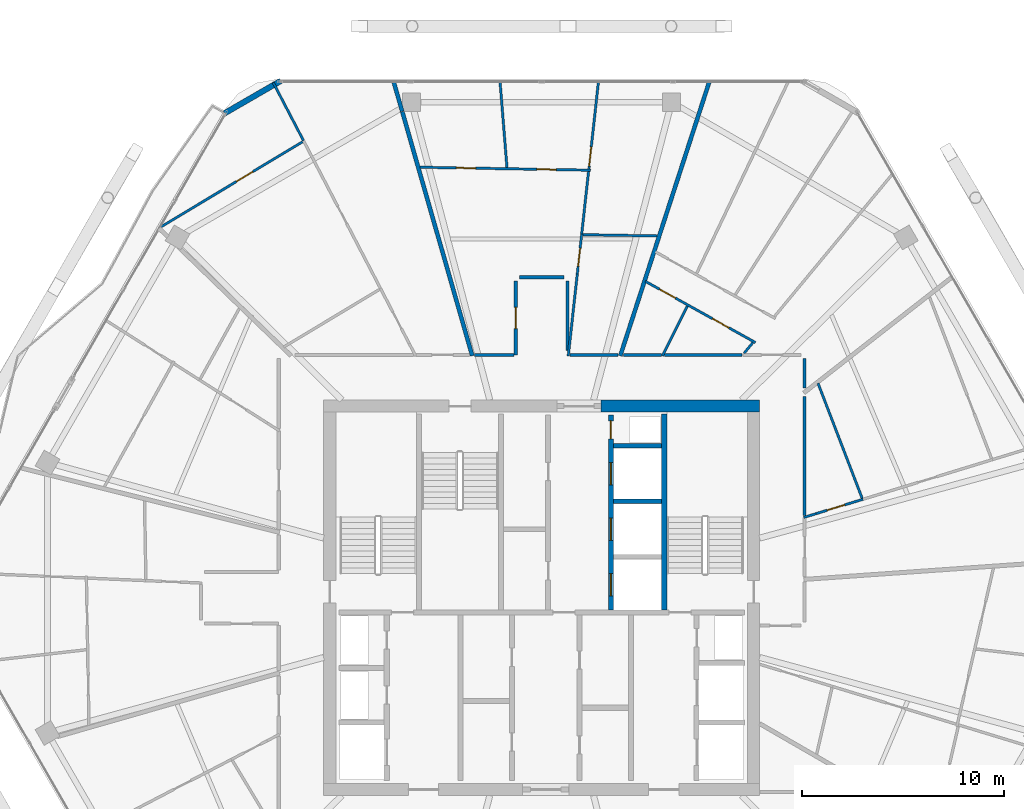
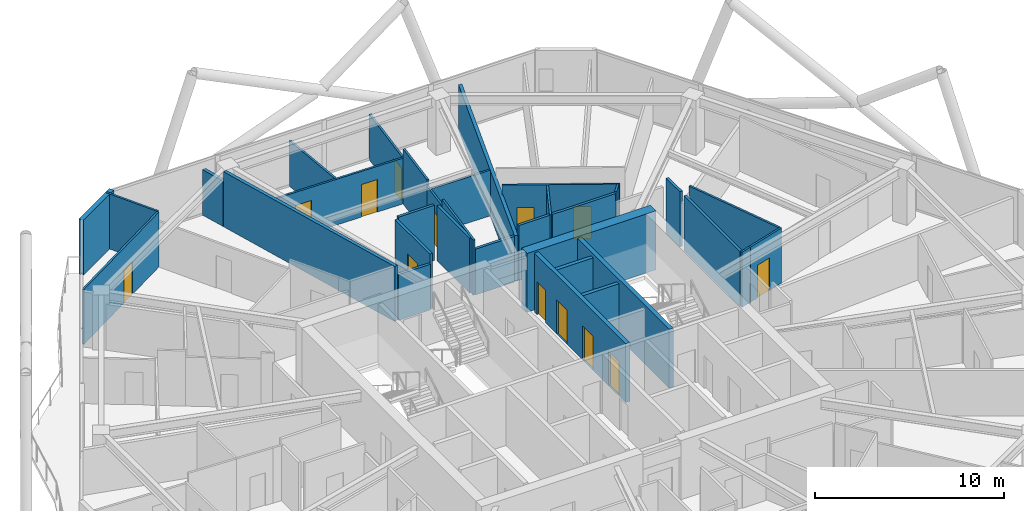
# One storey, part 24 of 29: 33 walls, 13 doors, 13 openings.
"""IFC4 building model written with IfcOpenShell, lengths in metres."""

from ifc_helpers import new_model, si_unit, direction, frame, frame_2d, origin, place, context, subcontext, project, spatial, rectangle, extrude, material, layer, layer_set, type_object, element, fill, save


model = new_model("IFC4")

# Units and contexts
model_context = context("Model", 3, precision=1e-05, world=origin(), true_north=direction((0.0, 1.0)))
body_context = subcontext(model_context, "Body", "Model", "MODEL_VIEW")
ifc_project = project(units=[si_unit("LENGTHUNIT", "METRE"), si_unit("AREAUNIT", "SQUARE_METRE"), si_unit("VOLUMEUNIT", "CUBIC_METRE"), si_unit("PLANEANGLEUNIT", "RADIAN"), si_unit("MASSUNIT", "GRAM", prefix="KILO")], contexts=[model_context])

# Site, building, storey
site_placement = place(None, origin())
site = spatial("IfcSite", under=ifc_project, at=site_placement, CompositionType="ELEMENT")
building_placement = place(site_placement, origin())
building = spatial("IfcBuilding", under=site, at=building_placement, Name="Zuhravey Tower", CompositionType="ELEMENT")
storey_placement = place(building_placement, frame((0.0, 0.0, 246.39990234375)))
storey = spatial("IfcBuildingStorey", under=building, at=storey_placement, Name="L62", CompositionType="ELEMENT", Elevation=246.39990234375)

# Wall
ifc_material_1 = material(Name="Concrete C50/60", Category="concrete")
ifc_layer_1 = layer(ifc_material_1, 0.60009765625)
ifc_layer_set_1 = layer_set([ifc_layer_1], Name="Concrete C50/60")
wall_type_1 = type_object("IfcWallType", Name="Core Shear Wall 600", PredefinedType="SHEAR", material=ifc_layer_set_1)
wall_1_placement = place(storey_placement, frame((46.800048828125, 41.5, 0.0), z_axis=(0.0, 0.0, 1.0), x_axis=(-1.0, 0.0, 0.0)))
element("IfcWall", 1, at=wall_1_placement, inside=storey, type_object=wall_type_1, Name="L62 North-East Core Shear Wall CW60", PredefinedType="SHEAR", context=body_context, shape_type="SweptSolid", body=[
    extrude(rectangle(XDim=7.85009765625, YDim=0.60009765625, at=frame_2d((3.925048828125, 0.0))), origin(), (0.0, 0.0, 1.0), 3.800048828125),
])

# Wall, opening, door
ifc_material_2 = material(Name="Gypsum fire-rated stud partition")
ifc_layer_2 = layer(ifc_material_2, 0.159912109375)
ifc_layer_set_2 = layer_set([ifc_layer_2], Name="Gypsum fire-rated stud partition")
wall_type_2 = type_object("IfcWallType", Name="Corridor Fire Partition 160", PredefinedType="PARTITIONING", material=ifc_layer_set_2)
wall_2_placement = place(storey_placement, frame((34.719970703125, 47.699951171875, 0.0), z_axis=(0.0, 0.0, 1.0), x_axis=(0.0, -1.0, 0.0)))
wall_2 = element("IfcWall", 2, at=wall_2_placement, inside=storey, type_object=wall_type_2, Name="L62 IW16 Partition 068", PredefinedType="PARTITIONING", context=body_context, shape_type="SweptSolid", body=[
    extrude(rectangle(XDim=3.669921875, YDim=0.159912109375, at=frame_2d((1.8349609375, 0.0))), origin(), (0.0, 0.0, 1.0), 3.550048828125),
])
opening_1_placement = place(wall_2_placement, frame((1.31005859375, 0.0, 0.0)))
opening_1 = element("IfcOpeningElement", 3, at=opening_1_placement, cuts=wall_2, Name="Opening APD1", PredefinedType="OPENING", context=body_context, shape_type="SweptSolid", body=[
    extrude(rectangle(XDim=1.050048828125, YDim=2.14990234375, at=frame_2d((0.52490234375, 1.074951171875))), frame((0.0, 0.092041015625, 0.0), z_axis=(0.0, -1.0, 0.0), x_axis=(1.0, 0.0, 0.0)), (0.0, 0.0, 1.0), 0.183837890625),
])
ifc_material_3 = material(Name="Solid-core oak fire-rated leaf")
door_type_1 = type_object("IfcDoorType", Name="Apartment Entrance Fire Door 1050x2150", OperationType="NOTDEFINED", PredefinedType="DOOR", material=ifc_material_3)
door_1_placement = place(opening_1_placement, frame((1.050048828125, 0.0, 0.0), z_axis=(0.0, 0.0, 1.0), x_axis=(-1.0, 0.0, 0.0)))
door_1 = element("IfcDoor", 4, at=door_1_placement, inside=storey, type_object=door_type_1, Name="L62 Door 068.1", OperationType="SINGLE_SWING_LEFT", OverallHeight=2.14990234375, OverallWidth=1.050048828125, PredefinedType="DOOR", context=body_context, shape_type="SweptSolid", body=[
    extrude(rectangle(XDim=1.050048828125, YDim=2.14990234375, at=frame_2d((0.52490234375, 1.074951171875))), frame((0.0, 0.02490234375, 0.0), z_axis=(0.0, -1.0, 0.0), x_axis=(1.0, 0.0, 0.0)), (0.0, 0.0, 1.0), 0.050048828125),
])
fill(opening_1, door_1)

# Walls
wall_3_placement = place(storey_placement, frame((49.030029296875, 36.064697265625, 0.0), z_axis=(0.0, 0.0, 1.0), x_axis=(0.0, 1.0, 0.0)))
element("IfcWall", 5, at=wall_3_placement, inside=storey, type_object=wall_type_2, Name="L62 IW16 Partition 139", PredefinedType="PARTITIONING", context=body_context, shape_type="SweptSolid", body=[
    extrude(rectangle(XDim=5.908447265625, YDim=0.159912109375, at=frame_2d((2.9541015625, 0.0))), origin(), (0.0, 0.0, 1.0), 3.550048828125),
])
wall_4_placement = place(storey_placement, frame((49.030029296875, 42.39013671875, 0.0), z_axis=(0.0, 0.0, 1.0), x_axis=(0.0, 1.0, 0.0)))
element("IfcWall", 6, at=wall_4_placement, inside=storey, type_object=wall_type_2, Name="L62 IW16 Partition 140", PredefinedType="PARTITIONING", context=body_context, shape_type="SweptSolid", body=[
    extrude(rectangle(XDim=1.459228515625, YDim=0.159912109375, at=frame_2d((0.7294921875, 0.0))), origin(), (0.0, 0.0, 1.0), 3.550048828125),
])
wall_5_placement = place(storey_placement, frame((45.93310546875, 44.030029296875, 0.0), z_axis=(0.0, 0.0, 1.0), x_axis=(-1.0, 0.0, 0.0)))
element("IfcWall", 7, at=wall_5_placement, inside=storey, type_object=wall_type_2, Name="L62 IW16 Partition 141", PredefinedType="PARTITIONING", context=body_context, shape_type="SweptSolid", body=[
    extrude(rectangle(XDim=3.852294921875, YDim=0.159912109375, at=frame_2d((1.92626953125, 0.0))), origin(), (0.0, 0.0, 1.0), 3.550048828125),
])
wall_6_placement = place(storey_placement, frame((41.9287109375, 44.030029296875, 0.0), z_axis=(0.0, 0.0, 1.0), x_axis=(-1.0, 0.0, 0.0)))
element("IfcWall", 8, at=wall_6_placement, inside=storey, type_object=wall_type_2, Name="L62 IW16 Partition 142", PredefinedType="PARTITIONING", context=body_context, shape_type="SweptSolid", body=[
    extrude(rectangle(XDim=1.88232421875, YDim=0.159912109375, at=frame_2d((0.941162109375, 0.0))), origin(), (0.0, 0.0, 1.0), 3.550048828125),
])
wall_7_placement = place(storey_placement, frame((37.280029296875, 44.25341796875, 0.0), z_axis=(0.0, 0.0, 1.0), x_axis=(0.0, 1.0, 0.0)))
element("IfcWall", 9, at=wall_7_placement, inside=storey, type_object=wall_type_2, Name="L62 IW16 Partition 143", PredefinedType="PARTITIONING", context=body_context, shape_type="SweptSolid", body=[
    extrude(rectangle(XDim=3.446533203125, YDim=0.159912109375, at=frame_2d((1.72314453125, 0.0))), origin(), (0.0, 0.0, 1.0), 3.550048828125),
])
wall_8_placement = place(storey_placement, frame((37.10009765625, 47.8798828125, 0.0), z_axis=(0.0, 0.0, 1.0), x_axis=(-1.0, 0.0, 0.0)))
element("IfcWall", 10, at=wall_8_placement, inside=storey, type_object=wall_type_2, Name="L62 IW16 Partition 144", PredefinedType="PARTITIONING", context=body_context, shape_type="SweptSolid", body=[
    extrude(rectangle(XDim=2.2001953125, YDim=0.159912109375, at=frame_2d((1.10009765625, 0.0))), origin(), (0.0, 0.0, 1.0), 3.550048828125),
])
wall_9_placement = place(storey_placement, frame((34.632080078125, 44.030029296875, 0.0), z_axis=(0.0, 0.0, 1.0), x_axis=(-1.0, 0.0, 0.0)))
element("IfcWall", 11, at=wall_9_placement, inside=storey, type_object=wall_type_2, Name="L62 IW16 Partition 145", PredefinedType="PARTITIONING", context=body_context, shape_type="SweptSolid", body=[
    extrude(rectangle(XDim=1.947509765625, YDim=0.159912109375, at=frame_2d((0.9736328125, 0.0))), origin(), (0.0, 0.0, 1.0), 2.9501953125),
])
wall_10_placement = place(storey_placement, frame((39.772216796875, 44.030029296875, 0.0), z_axis=(0.0, 0.0, 1.0), x_axis=(-1.0, 0.0, 0.0)))
element("IfcWall", 12, at=wall_10_placement, inside=storey, type_object=wall_type_2, Name="L62 IW16 Partition 146", PredefinedType="PARTITIONING", context=body_context, shape_type="SweptSolid", body=[
    extrude(rectangle(XDim=2.380126953125, YDim=0.159912109375, at=frame_2d((1.18994140625, 0.0))), origin(), (0.0, 0.0, 1.0), 2.9501953125),
])
ifc_material_4 = material(Name="Precast concrete C40/50", Category="concrete")
ifc_layer_3 = layer(ifc_material_4, 0.280029296875)
ifc_layer_set_3 = layer_set([ifc_layer_3], Name="Precast concrete C40/50")
wall_type_3 = type_object("IfcWallType", Name="Crown Architectural Wall 280", PredefinedType="SOLIDWALL", material=ifc_layer_set_3)
wall_11_placement = place(storey_placement, frame((20.285400390625, 56.003662109375, 0.0), z_axis=(0.0, 0.0, 1.0), x_axis=(0.866028773314, 0.499994163758, 0.0)))
element("IfcWall", 13, at=wall_11_placement, inside=storey, type_object=wall_type_3, Name="L62 Rounded Corner Closure Wall EW28-08", PredefinedType="SOLIDWALL", context=body_context, shape_type="SweptSolid", body=[
    extrude(rectangle(XDim=3.21484375, YDim=0.280029296875, at=frame_2d((1.607421875, 0.0))), origin(), (0.0, 0.0, 1.0), 3.550048828125),
])
ifc_layer_4 = layer(ifc_material_1, 0.25)
ifc_layer_set_4 = layer_set([ifc_layer_4], Name="Concrete C50/60")
wall_type_4 = type_object("IfcWallType", Name="Firefighting Shaft & Stair Wall 250", PredefinedType="SOLIDWALL", material=ifc_layer_set_4)
wall_12_placement = place(storey_placement, frame((42.074951171875, 31.39990234375, 0.0), z_axis=(0.0, 0.0, 1.0), x_axis=(0.0, 1.0, 0.0)))
element("IfcWall", 14, at=wall_12_placement, inside=storey, type_object=wall_type_4, Name="L62 FW25 Shaft Wall 006", PredefinedType="SOLIDWALL", context=body_context, shape_type="SweptSolid", body=[
    extrude(rectangle(XDim=9.7001953125, YDim=0.25, at=frame_2d((4.85009765625, 0.0))), origin(), (0.0, 0.0, 1.0), 3.800048828125),
])

# Wall, openings, doors
wall_13_placement = place(storey_placement, frame((39.425048828125, 31.39990234375, 0.0), z_axis=(0.0, 0.0, 1.0), x_axis=(0.0, 1.0, 0.0)))
wall_13 = element("IfcWall", 15, at=wall_13_placement, inside=storey, type_object=wall_type_4, Name="L62 FW25 Shaft Wall 008", PredefinedType="SOLIDWALL", context=body_context, shape_type="SweptSolid", body=[
    extrude(rectangle(XDim=9.650146484375, YDim=0.25, at=frame_2d((4.8251953125, 0.0))), origin(), (0.0, 0.0, 1.0), 3.800048828125),
])
opening_2_placement = place(wall_13_placement, frame((0.699951171875, 0.0, 0.0)))
opening_2 = element("IfcOpeningElement", 16, at=opening_2_placement, cuts=wall_13, Name="Opening LD1", PredefinedType="OPENING", context=body_context, shape_type="SweptSolid", body=[
    extrude(rectangle(XDim=1.10009765625, YDim=2.199951171875, at=frame_2d((0.550048828125, 1.10009765625))), frame((0.0, 0.136962890625, 0.0), z_axis=(0.0, -1.0, 0.0), x_axis=(1.0, 0.0, 0.0)), (0.0, 0.0, 1.0), 0.27392578125),
])
opening_3_placement = place(wall_13_placement, frame((3.449951171875, 0.0, 0.0)))
opening_3 = element("IfcOpeningElement", 17, at=opening_3_placement, cuts=wall_13, Name="Opening LD1", PredefinedType="OPENING", context=body_context, shape_type="SweptSolid", body=[
    extrude(rectangle(XDim=1.10009765625, YDim=2.199951171875, at=frame_2d((0.550048828125, 1.10009765625))), frame((0.0, 0.136962890625, 0.0), z_axis=(0.0, -1.0, 0.0), x_axis=(1.0, 0.0, 0.0)), (0.0, 0.0, 1.0), 0.27392578125),
])
opening_4_placement = place(wall_13_placement, frame((6.199951171875, 0.0, 0.0)))
opening_4 = element("IfcOpeningElement", 18, at=opening_4_placement, cuts=wall_13, Name="Opening LD1", PredefinedType="OPENING", context=body_context, shape_type="SweptSolid", body=[
    extrude(rectangle(XDim=1.10009765625, YDim=2.199951171875, at=frame_2d((0.550048828125, 1.10009765625))), frame((0.0, 0.136962890625, 0.0), z_axis=(0.0, -1.0, 0.0), x_axis=(1.0, 0.0, 0.0)), (0.0, 0.0, 1.0), 0.27392578125),
])
opening_5_placement = place(wall_13_placement, frame((8.469970703125, 0.0, 0.0)))
opening_5 = element("IfcOpeningElement", 19, at=opening_5_placement, cuts=wall_13, Name="Opening RSD1", PredefinedType="OPENING", context=body_context, shape_type="SweptSolid", body=[
    extrude(rectangle(XDim=0.89990234375, YDim=2.10009765625, at=frame_2d((0.449951171875, 1.050048828125))), frame((0.0, 0.136962890625, 0.0), z_axis=(0.0, -1.0, 0.0), x_axis=(1.0, 0.0, 0.0)), (0.0, 0.0, 1.0), 0.27392578125),
])
ifc_material_5 = material(Name="Brushed stainless steel", Category="steel")
door_type_2 = type_object("IfcDoorType", Name="Lift Landing Sliding Door 1100x2200", OperationType="DOUBLE_DOOR_SLIDING", PredefinedType="DOOR", material=ifc_material_5)
door_2_placement = place(opening_2_placement, origin())
door_2 = element("IfcDoor", 20, at=door_2_placement, inside=storey, type_object=door_type_2, Name="L62 Lift PL7 Landing Door", OperationType="DOUBLE_DOOR_SLIDING", OverallHeight=2.199951171875, OverallWidth=1.10009765625, PredefinedType="DOOR", context=body_context, shape_type="SweptSolid", body=[
    extrude(rectangle(XDim=1.10009765625, YDim=2.199951171875, at=frame_2d((0.550048828125, 1.10009765625))), frame((0.0, 0.02490234375, 0.0), z_axis=(0.0, -1.0, 0.0), x_axis=(1.0, 0.0, 0.0)), (0.0, 0.0, 1.0), 0.050048828125),
])
fill(opening_2, door_2)
door_3_placement = place(opening_3_placement, origin())
door_3 = element("IfcDoor", 21, at=door_3_placement, inside=storey, type_object=door_type_2, Name="L62 Lift PL8 Landing Door", OperationType="DOUBLE_DOOR_SLIDING", OverallHeight=2.199951171875, OverallWidth=1.10009765625, PredefinedType="DOOR", context=body_context, shape_type="SweptSolid", body=[
    extrude(rectangle(XDim=1.10009765625, YDim=2.199951171875, at=frame_2d((0.550048828125, 1.10009765625))), frame((0.0, 0.02490234375, 0.0), z_axis=(0.0, -1.0, 0.0), x_axis=(1.0, 0.0, 0.0)), (0.0, 0.0, 1.0), 0.050048828125),
])
fill(opening_3, door_3)
door_4_placement = place(opening_4_placement, origin())
door_4 = element("IfcDoor", 22, at=door_4_placement, inside=storey, type_object=door_type_2, Name="L62 Lift PL9 Landing Door", OperationType="DOUBLE_DOOR_SLIDING", OverallHeight=2.199951171875, OverallWidth=1.10009765625, PredefinedType="DOOR", context=body_context, shape_type="SweptSolid", body=[
    extrude(rectangle(XDim=1.10009765625, YDim=2.199951171875, at=frame_2d((0.550048828125, 1.10009765625))), frame((0.0, 0.02490234375, 0.0), z_axis=(0.0, -1.0, 0.0), x_axis=(1.0, 0.0, 0.0)), (0.0, 0.0, 1.0), 0.050048828125),
])
fill(opening_4, door_4)
ifc_material_6 = material(Name="Galvanised fire-rated steel access leaf", Category="steel")
door_type_3 = type_object("IfcDoorType", Name="Riser & Shaft Access Fire Door 900x2100", OperationType="NOTDEFINED", PredefinedType="DOOR", material=ifc_material_6)
door_5_placement = place(opening_5_placement, origin())
door_5 = element("IfcDoor", 23, at=door_5_placement, inside=storey, type_object=door_type_3, Name="L62 North Riser Door", OperationType="SINGLE_SWING_LEFT", OverallHeight=2.10009765625, OverallWidth=0.89990234375, PredefinedType="DOOR", context=body_context, shape_type="SweptSolid", body=[
    extrude(rectangle(XDim=0.89990234375, YDim=2.10009765625, at=frame_2d((0.449951171875, 1.050048828125))), frame((0.0, 0.02490234375, 0.0), z_axis=(0.0, -1.0, 0.0), x_axis=(1.0, 0.0, 0.0)), (0.0, 0.0, 1.0), 0.050048828125),
])
fill(opening_5, door_5)

# Walls
ifc_material_7 = material(Name="Gypsum double-stud party assembly")
ifc_layer_5 = layer(ifc_material_7, 0.199951171875)
ifc_layer_set_5 = layer_set([ifc_layer_5], Name="Gypsum double-stud party assembly")
wall_type_5 = type_object("IfcWallType", Name="Inter-Tenancy Party Wall 200", PredefinedType="PARTITIONING", material=ifc_layer_set_5)
wall_14_placement = place(storey_placement, frame((32.56201171875, 43.989990234375, 0.0), z_axis=(0.0, 0.0, 1.0), x_axis=(-0.275638433315, 0.96126138697, 0.0)))
element("IfcWall", 24, at=wall_14_placement, inside=storey, type_object=wall_type_5, Name="L62 IW20 Partition 073", PredefinedType="PARTITIONING", context=body_context, shape_type="SweptSolid", body=[
    extrude(rectangle(XDim=12.582763671875, YDim=0.199951171875, at=frame_2d((6.29150390625, 0.0))), origin(), (0.0, 0.0, 1.0), 3.550048828125),
])
wall_15_placement = place(storey_placement, frame((29.089111328125, 56.101318359375, 0.0), z_axis=(0.0, 0.0, 1.0), x_axis=(-0.27554766027, 0.961287411194, 0.0)))
element("IfcWall", 25, at=wall_15_placement, inside=storey, type_object=wall_type_5, Name="L62 IW20 Partition 074", PredefinedType="PARTITIONING", context=body_context, shape_type="SweptSolid", body=[
    extrude(rectangle(XDim=1.521240234375, YDim=0.199951171875, at=frame_2d((0.7607421875, 0.0))), origin(), (0.0, 0.0, 1.0), 2.93017578125),
])
wall_16_placement = place(storey_placement, frame((39.895751953125, 43.989990234375, 0.0), z_axis=(0.0, 0.0, 1.0), x_axis=(0.309018769513, 0.951055939516, 0.0)))
element("IfcWall", 26, at=wall_16_placement, inside=storey, type_object=wall_type_5, Name="L62 IW20 Partition 118", PredefinedType="PARTITIONING", context=body_context, shape_type="SweptSolid", body=[
    extrude(rectangle(XDim=14.272216796875, YDim=0.199951171875, at=frame_2d((7.13623046875, 0.0))), origin(), (0.0, 0.0, 1.0), 2.93017578125),
])
ifc_material_8 = material(Name="Gypsum acoustic stud assembly")
ifc_layer_6 = layer(ifc_material_8, 0.219970703125)
ifc_layer_set_6 = layer_set([ifc_layer_6], Name="Gypsum acoustic stud assembly")
wall_type_6 = type_object("IfcWallType", Name="School Acoustic Compartment Wall 220", PredefinedType="PARTITIONING", material=ifc_layer_set_6)
for number, where, z_axis, x_axis, name in (
    (27, (39.55810546875, 36.77490234375, 0.0), (0.0, 0.0, 1.0), (1.0, 0.0, 0.0), "L62 IW22 Partition 071"),
    (28, (39.55810546875, 39.52490234375, 0.0), (0.0, 0.0, 1.0), (1.0, 0.0, 0.0), "L62 IW22 Partition 072"),
):
    element("IfcWall", number, at=place(storey_placement, frame(where, z_axis=z_axis, x_axis=x_axis)), inside=storey, type_object=wall_type_6, Name=name, PredefinedType="PARTITIONING", context=body_context, shape_type="SweptSolid", body=[
        extrude(rectangle(XDim=2.3837890625, YDim=0.219970703125, at=frame_2d((1.19189453125, 0.0))), origin(), (0.0, 0.0, 1.0), 3.550048828125),
    ])

# Wall, opening, door
ifc_material_9 = material(Name="Gypsum metal-stud partition")
ifc_layer_7 = layer(ifc_material_9, 0.1201171875)
ifc_layer_set_7 = layer_set([ifc_layer_7], Name="Gypsum metal-stud partition")
wall_type_7 = type_object("IfcWallType", Name="Unit Internal Partition 120", PredefinedType="PARTITIONING", material=ifc_layer_set_7)
wall_17_placement = place(storey_placement, frame((24.152099609375, 54.59326171875, 0.0), z_axis=(0.0, 0.0, 1.0), x_axis=(-0.857165830908, -0.51504052105, 0.0)))
wall_17 = element("IfcWall", 29, at=wall_17_placement, inside=storey, type_object=wall_type_7, Name="L62 IW12 Partition 023", PredefinedType="PARTITIONING", context=body_context, shape_type="SweptSolid", body=[
    extrude(rectangle(XDim=8.170654296875, YDim=0.1201171875, at=frame_2d((4.08544921875, 0.0))), origin(), (0.0, 0.0, 1.0), 3.550048828125),
])
opening_6_placement = place(wall_17_placement, frame((2.8662109375, 0.0, 0.0)))
opening_6 = element("IfcOpeningElement", 30, at=opening_6_placement, cuts=wall_17, Name="Opening IND1", PredefinedType="OPENING", context=body_context, shape_type="SweptSolid", body=[
    extrude(rectangle(XDim=0.949951171875, YDim=2.10009765625, at=frame_2d((0.47509765625, 1.050048828125))), frame((0.0, 0.072021484375, 0.0), z_axis=(0.0, -1.0, 0.0), x_axis=(1.0, 0.0, 0.0)), (0.0, 0.0, 1.0), 0.14404296875),
])
ifc_material_10 = material(Name="Painted engineered timber leaf", Category="wood")
door_type_4 = type_object("IfcDoorType", Name="Internal Room & Bedroom Door 950x2100", OperationType="NOTDEFINED", PredefinedType="DOOR", material=ifc_material_10)
door_6_placement = place(opening_6_placement, frame((0.949951171875, 0.0, 0.0), z_axis=(0.0, 0.0, 1.0), x_axis=(-1.0, 0.0, 0.0)))
door_6 = element("IfcDoor", 31, at=door_6_placement, inside=storey, type_object=door_type_4, Name="Apartment L62-01 Kitchen Door", OperationType="SINGLE_SWING_LEFT", OverallHeight=2.10009765625, OverallWidth=0.949951171875, PredefinedType="DOOR", context=body_context, shape_type="SweptSolid", body=[
    extrude(rectangle(XDim=0.949951171875, YDim=2.10009765625, at=frame_2d((0.47509765625, 1.050048828125))), frame((0.0, 0.02490234375, 0.0), z_axis=(0.0, -1.0, 0.0), x_axis=(1.0, 0.0, 0.0)), (0.0, 0.0, 1.0), 0.050048828125),
])
fill(opening_6, door_6)

wall_18_placement = place(storey_placement, frame((49.60009765625, 36.168212890625, 0.0), z_axis=(0.0, 0.0, 1.0), x_axis=(0.956099580732, 0.293041962395, 0.0)))
wall_18 = element("IfcWall", 32, at=wall_18_placement, inside=storey, type_object=wall_type_7, Name="L62 IW12 Partition 057", PredefinedType="PARTITIONING", context=body_context, shape_type="SweptSolid", body=[
    extrude(rectangle(XDim=2.4326171875, YDim=0.1201171875, at=frame_2d((1.21630859375, 0.0))), origin(), (0.0, 0.0, 1.0), 3.550048828125),
])
opening_7_placement = place(wall_18_placement, frame((0.57177734375, 0.0, 0.0)))
opening_7 = element("IfcOpeningElement", 33, at=opening_7_placement, cuts=wall_18, Name="Opening WCD1", PredefinedType="OPENING", context=body_context, shape_type="SweptSolid", body=[
    extrude(rectangle(XDim=0.89990234375, YDim=2.10009765625, at=frame_2d((0.449951171875, 1.050048828125))), frame((0.0, 0.072021484375, 0.0), z_axis=(0.0, -1.0, 0.0), x_axis=(1.0, 0.0, 0.0)), (0.0, 0.0, 1.0), 0.14404296875),
])
ifc_material_11 = material(Name="Moisture-resistant timber leaf", Category="wood")
door_type_5 = type_object("IfcDoorType", Name="Bathroom & WC Internal Door 900x2100", OperationType="NOTDEFINED", PredefinedType="DOOR", material=ifc_material_11)
door_7_placement = place(opening_7_placement, origin())
door_7 = element("IfcDoor", 34, at=door_7_placement, inside=storey, type_object=door_type_5, Name="Apartment L62-09 Bathroom Door", OperationType="SINGLE_SWING_LEFT", OverallHeight=2.10009765625, OverallWidth=0.89990234375, PredefinedType="DOOR", context=body_context, shape_type="SweptSolid", body=[
    extrude(rectangle(XDim=0.89990234375, YDim=2.10009765625, at=frame_2d((0.449951171875, 1.050048828125))), frame((0.0, 0.02490234375, 0.0), z_axis=(0.0, -1.0, 0.0), x_axis=(1.0, 0.0, 0.0)), (0.0, 0.0, 1.0), 0.050048828125),
])
fill(opening_7, door_7)

# Wall, openings, doors
wall_19_placement = place(storey_placement, frame((46.597412109375, 44.644287109375, 0.0), z_axis=(0.0, 0.0, 1.0), x_axis=(-0.874105625874, 0.48573588998, 0.0)))
wall_19 = element("IfcWall", 35, at=wall_19_placement, inside=storey, type_object=wall_type_7, Name="L62 IW12 Partition 061", PredefinedType="PARTITIONING", context=body_context, shape_type="SweptSolid", body=[
    extrude(rectangle(XDim=6.24365234375, YDim=0.1201171875, at=frame_2d((3.121826171875, 0.0))), origin(), (0.0, 0.0, 1.0), 3.550048828125),
])
opening_8_placement = place(wall_19_placement, frame((1.4951171875, 0.0, 0.0)))
opening_8 = element("IfcOpeningElement", 36, at=opening_8_placement, cuts=wall_19, Name="Opening IND1", PredefinedType="OPENING", context=body_context, shape_type="SweptSolid", body=[
    extrude(rectangle(XDim=0.949951171875, YDim=2.10009765625, at=frame_2d((0.47509765625, 1.050048828125))), frame((0.0, 0.072021484375, 0.0), z_axis=(0.0, -1.0, 0.0), x_axis=(1.0, 0.0, 0.0)), (0.0, 0.0, 1.0), 0.14404296875),
])
opening_9_placement = place(wall_19_placement, frame((4.540283203125, 0.0, 0.0)))
opening_9 = element("IfcOpeningElement", 37, at=opening_9_placement, cuts=wall_19, Name="Opening WCD1", PredefinedType="OPENING", context=body_context, shape_type="SweptSolid", body=[
    extrude(rectangle(XDim=0.89990234375, YDim=2.10009765625, at=frame_2d((0.449951171875, 1.050048828125))), frame((0.0, 0.072021484375, 0.0), z_axis=(0.0, -1.0, 0.0), x_axis=(1.0, 0.0, 0.0)), (0.0, 0.0, 1.0), 0.14404296875),
])
door_8_placement = place(opening_9_placement, origin())
door_8 = element("IfcDoor", 38, at=door_8_placement, inside=storey, type_object=door_type_5, Name="Apartment L62-10 Bathroom Door", OperationType="SINGLE_SWING_RIGHT", OverallHeight=2.10009765625, OverallWidth=0.89990234375, PredefinedType="DOOR", context=body_context, shape_type="SweptSolid", body=[
    extrude(rectangle(XDim=0.89990234375, YDim=2.10009765625, at=frame_2d((0.449951171875, 1.050048828125))), frame((0.0, 0.02490234375, 0.0), z_axis=(0.0, -1.0, 0.0), x_axis=(1.0, 0.0, 0.0)), (0.0, 0.0, 1.0), 0.050048828125),
])
fill(opening_9, door_8)
door_9_placement = place(opening_8_placement, origin())
door_9 = element("IfcDoor", 39, at=door_9_placement, inside=storey, type_object=door_type_4, Name="Apartment L62-10 Kitchen Door", OperationType="SINGLE_SWING_LEFT", OverallHeight=2.10009765625, OverallWidth=0.949951171875, PredefinedType="DOOR", context=body_context, shape_type="SweptSolid", body=[
    extrude(rectangle(XDim=0.949951171875, YDim=2.10009765625, at=frame_2d((0.47509765625, 1.050048828125))), frame((0.0, 0.02490234375, 0.0), z_axis=(0.0, -1.0, 0.0), x_axis=(1.0, 0.0, 0.0)), (0.0, 0.0, 1.0), 0.050048828125),
])
fill(opening_8, door_9)

wall_20_placement = place(storey_placement, frame((38.431884765625, 53.185302734375, 0.0), z_axis=(0.0, 0.0, 1.0), x_axis=(-0.999847834671, 0.017444411801, 0.0)))
wall_20 = element("IfcWall", 40, at=wall_20_placement, inside=storey, type_object=wall_type_7, Name="L62 IW12 Partition 064", PredefinedType="PARTITIONING", context=body_context, shape_type="SweptSolid", body=[
    extrude(rectangle(XDim=8.453125, YDim=0.1201171875, at=frame_2d((4.2265625, 0.0))), origin(), (0.0, 0.0, 1.0), 2.9501953125),
])
opening_10_placement = place(wall_20_placement, frame((1.718994140625, 0.0, 0.0)))
opening_10 = element("IfcOpeningElement", 41, at=opening_10_placement, cuts=wall_20, Name="Opening IND1", PredefinedType="OPENING", context=body_context, shape_type="SweptSolid", body=[
    extrude(rectangle(XDim=0.949951171875, YDim=2.10009765625, at=frame_2d((0.47509765625, 1.050048828125))), frame((0.0, 0.072021484375, 0.0), z_axis=(0.0, -1.0, 0.0), x_axis=(1.0, 0.0, 0.0)), (0.0, 0.0, 1.0), 0.14404296875),
])
opening_11_placement = place(wall_20_placement, frame((5.705078125, 0.0, 0.0)))
opening_11 = element("IfcOpeningElement", 42, at=opening_11_placement, cuts=wall_20, Name="Opening IND1", PredefinedType="OPENING", context=body_context, shape_type="SweptSolid", body=[
    extrude(rectangle(XDim=0.949951171875, YDim=2.10009765625, at=frame_2d((0.47509765625, 1.050048828125))), frame((0.0, 0.072021484375, 0.0), z_axis=(0.0, -1.0, 0.0), x_axis=(1.0, 0.0, 0.0)), (0.0, 0.0, 1.0), 0.14404296875),
])
door_10_placement = place(opening_10_placement, frame((0.949951171875, 0.0, 0.0), z_axis=(0.0, 0.0, 1.0), x_axis=(-1.0, 0.0, 0.0)))
door_10 = element("IfcDoor", 43, at=door_10_placement, inside=storey, type_object=door_type_4, Name="Apartment L62-11 Family Study Door", OperationType="SINGLE_SWING_LEFT", OverallHeight=2.10009765625, OverallWidth=0.949951171875, PredefinedType="DOOR", context=body_context, shape_type="SweptSolid", body=[
    extrude(rectangle(XDim=0.949951171875, YDim=2.10009765625, at=frame_2d((0.47509765625, 1.050048828125))), frame((0.0, 0.02490234375, 0.0), z_axis=(0.0, -1.0, 0.0), x_axis=(1.0, 0.0, 0.0)), (0.0, 0.0, 1.0), 0.050048828125),
])
fill(opening_10, door_10)
door_11_placement = place(opening_11_placement, frame((0.949951171875, 0.0, 0.0), z_axis=(0.0, 0.0, 1.0), x_axis=(-1.0, 0.0, 0.0)))
door_11 = element("IfcDoor", 44, at=door_11_placement, inside=storey, type_object=door_type_4, Name="Apartment L62-11 Dining Room Door", OperationType="SINGLE_SWING_RIGHT", OverallHeight=2.10009765625, OverallWidth=0.949951171875, PredefinedType="DOOR", context=body_context, shape_type="SweptSolid", body=[
    extrude(rectangle(XDim=0.949951171875, YDim=2.10009765625, at=frame_2d((0.47509765625, 1.050048828125))), frame((0.0, 0.02490234375, 0.0), z_axis=(0.0, -1.0, 0.0), x_axis=(1.0, 0.0, 0.0)), (0.0, 0.0, 1.0), 0.050048828125),
])
fill(opening_11, door_11)

# Wall, opening, door
wall_21_placement = place(storey_placement, frame((37.765625, 48.044677734375, 0.0), z_axis=(0.0, 0.0, 1.0), x_axis=(0.109378163954, 0.994000209884, 0.0)))
wall_21 = element("IfcWall", 45, at=wall_21_placement, inside=storey, type_object=wall_type_7, Name="L62 IW12 Partition 065", PredefinedType="PARTITIONING", context=body_context, shape_type="SweptSolid", body=[
    extrude(rectangle(XDim=1.984375, YDim=0.1201171875, at=frame_2d((0.9921875, 0.0))), origin(), (0.0, 0.0, 1.0), 3.150146484375),
])
opening_12_placement = place(wall_21_placement, frame((0.38330078125, 0.0, 0.0)))
opening_12 = element("IfcOpeningElement", 46, at=opening_12_placement, cuts=wall_21, Name="Opening WCD1", PredefinedType="OPENING", context=body_context, shape_type="SweptSolid", body=[
    extrude(rectangle(XDim=0.89990234375, YDim=2.10009765625, at=frame_2d((0.449951171875, 1.050048828125))), frame((0.0, 0.072021484375, 0.0), z_axis=(0.0, -1.0, 0.0), x_axis=(1.0, 0.0, 0.0)), (0.0, 0.0, 1.0), 0.14404296875),
])
door_12_placement = place(opening_12_placement, frame((0.89990234375, 0.0, 0.0), z_axis=(0.0, 0.0, 1.0), x_axis=(-1.0, 0.0, 0.0)))
door_12 = element("IfcDoor", 47, at=door_12_placement, inside=storey, type_object=door_type_5, Name="Apartment L62-11 Bathroom Door", OperationType="SINGLE_SWING_LEFT", OverallHeight=2.10009765625, OverallWidth=0.89990234375, PredefinedType="DOOR", context=body_context, shape_type="SweptSolid", body=[
    extrude(rectangle(XDim=0.89990234375, YDim=2.10009765625, at=frame_2d((0.449951171875, 1.050048828125))), frame((0.0, 0.02490234375, 0.0), z_axis=(0.0, -1.0, 0.0), x_axis=(1.0, 0.0, 0.0)), (0.0, 0.0, 1.0), 0.050048828125),
])
fill(opening_12, door_12)

# Wall
wall_22_placement = place(storey_placement, frame((37.98291015625, 50.01708984375, 0.0), z_axis=(0.0, 0.0, 1.0), x_axis=(0.109366759617, 0.994001464733, 0.0)))
element("IfcWall", 48, at=wall_22_placement, inside=storey, type_object=wall_type_7, Name="L62 IW12 Partition 066", PredefinedType="PARTITIONING", context=body_context, shape_type="SweptSolid", body=[
    extrude(rectangle(XDim=3.120849609375, YDim=0.1201171875, at=frame_2d((1.560546875, 0.0))), origin(), (0.0, 0.0, 1.0), 3.550048828125),
])

# Wall, opening, door
wall_23_placement = place(storey_placement, frame((38.339111328125, 53.2548828125, 0.0), z_axis=(0.0, 0.0, 1.0), x_axis=(0.109363268669, 0.994001848824, 0.0)))
wall_23 = element("IfcWall", 49, at=wall_23_placement, inside=storey, type_object=wall_type_7, Name="L62 IW12 Partition 067", PredefinedType="PARTITIONING", context=body_context, shape_type="SweptSolid", body=[
    extrude(rectangle(XDim=4.33984375, YDim=0.1201171875, at=frame_2d((2.169921875, 0.0))), origin(), (0.0, 0.0, 1.0), 2.93017578125),
])
opening_13_placement = place(wall_23_placement, frame((0.139892578125, 0.0, 0.0)))
opening_13 = element("IfcOpeningElement", 50, at=opening_13_placement, cuts=wall_23, Name="Opening IND1", PredefinedType="OPENING", context=body_context, shape_type="SweptSolid", body=[
    extrude(rectangle(XDim=0.949951171875, YDim=2.10009765625, at=frame_2d((0.47509765625, 1.050048828125))), frame((0.0, 0.072021484375, 0.0), z_axis=(0.0, -1.0, 0.0), x_axis=(1.0, 0.0, 0.0)), (0.0, 0.0, 1.0), 0.14404296875),
])
door_13_placement = place(opening_13_placement, frame((0.949951171875, 0.0, 0.0), z_axis=(0.0, 0.0, 1.0), x_axis=(-1.0, 0.0, 0.0)))
door_13 = element("IfcDoor", 51, at=door_13_placement, inside=storey, type_object=door_type_4, Name="Apartment L62-11 Bedroom 1 Door", OperationType="SINGLE_SWING_RIGHT", OverallHeight=2.10009765625, OverallWidth=0.949951171875, PredefinedType="DOOR", context=body_context, shape_type="SweptSolid", body=[
    extrude(rectangle(XDim=0.949951171875, YDim=2.10009765625, at=frame_2d((0.47509765625, 1.050048828125))), frame((0.0, 0.02490234375, 0.0), z_axis=(0.0, -1.0, 0.0), x_axis=(1.0, 0.0, 0.0)), (0.0, 0.0, 1.0), 0.050048828125),
])
fill(opening_13, door_13)

# Walls
wall_24_placement = place(storey_placement, frame((24.198974609375, 54.650390625, 0.0), z_axis=(0.0, 0.0, 1.0), x_axis=(-0.462045585495, 0.886856176009, 0.0)))
element("IfcWall", 52, at=wall_24_placement, inside=storey, type_object=wall_type_7, Name="L62 IW12 Partition 076", PredefinedType="PARTITIONING", context=body_context, shape_type="SweptSolid", body=[
    extrude(rectangle(XDim=3.239013671875, YDim=0.1201171875, at=frame_2d((1.61962890625, 0.0))), origin(), (0.0, 0.0, 1.0), 3.550048828125),
])
wall_25_placement = place(storey_placement, frame((48.986083984375, 35.980224609375, 0.0), z_axis=(0.0, 0.0, 1.0), x_axis=(0.956189096287, 0.292749743197, 0.0)))
element("IfcWall", 53, at=wall_25_placement, inside=storey, type_object=wall_type_7, Name="L62 IW12 Partition 109", PredefinedType="PARTITIONING", context=body_context, shape_type="SweptSolid", body=[
    extrude(rectangle(XDim=0.64208984375, YDim=0.1201171875, at=frame_2d((0.321044921875, 0.0))), origin(), (0.0, 0.0, 1.0), 3.550048828125),
])
wall_26_placement = place(storey_placement, frame((51.877685546875, 36.9375, 0.0), z_axis=(0.0, 0.0, 1.0), x_axis=(-0.358346020199, 0.933588844089, 0.0)))
element("IfcWall", 54, at=wall_26_placement, inside=storey, type_object=wall_type_7, Name="L62 IW12 Partition 111", PredefinedType="PARTITIONING", context=body_context, shape_type="SweptSolid", body=[
    extrude(rectangle(XDim=6.099609375, YDim=0.1201171875, at=frame_2d((3.0498046875, 0.0))), origin(), (0.0, 0.0, 1.0), 3.550048828125),
])
wall_27_placement = place(storey_placement, frame((41.979736328125, 43.97998046875, 0.0), z_axis=(0.0, 0.0, 1.0), x_axis=(0.446611639488, 0.894727915891, 0.0)))
element("IfcWall", 55, at=wall_27_placement, inside=storey, type_object=wall_type_7, Name="L62 IW12 Partition 113", PredefinedType="PARTITIONING", context=body_context, shape_type="SweptSolid", body=[
    extrude(rectangle(XDim=2.75830078125, YDim=0.1201171875, at=frame_2d((1.379150390625, 0.0))), origin(), (0.0, 0.0, 1.0), 3.550048828125),
])
wall_28_placement = place(storey_placement, frame((46.031982421875, 44.117919921875, 0.0), z_axis=(0.0, 0.0, 1.0), x_axis=(0.637773938941, 0.770223605719, 0.0)))
element("IfcWall", 56, at=wall_28_placement, inside=storey, type_object=wall_type_7, Name="L62 IW12 Partition 116", PredefinedType="PARTITIONING", context=body_context, shape_type="SweptSolid", body=[
    extrude(rectangle(XDim=0.67822265625, YDim=0.1201171875, at=frame_2d((0.339111328125, 0.0))), origin(), (0.0, 0.0, 1.0), 3.550048828125),
])
wall_29_placement = place(storey_placement, frame((34.280517578125, 53.32568359375, 0.0), z_axis=(0.0, 0.0, 1.0), x_axis=(-0.080397895883, 0.996762849597, 0.0)))
element("IfcWall", 57, at=wall_29_placement, inside=storey, type_object=wall_type_7, Name="L62 IW12 Partition 119", PredefinedType="PARTITIONING", context=body_context, shape_type="SweptSolid", body=[
    extrude(rectangle(XDim=4.28173828125, YDim=0.1201171875, at=frame_2d((2.140869140625, 0.0))), origin(), (0.0, 0.0, 1.0), 2.93017578125),
])
wall_30_placement = place(storey_placement, frame((37.31884765625, 43.985107421875, 0.0), z_axis=(0.0, 0.0, 1.0), x_axis=(0.109394817792, 0.993998377182, 0.0)))
element("IfcWall", 58, at=wall_30_placement, inside=storey, type_object=wall_type_7, Name="L62 IW12 Partition 120", PredefinedType="PARTITIONING", context=body_context, shape_type="SweptSolid", body=[
    extrude(rectangle(XDim=4.083984375, YDim=0.1201171875, at=frame_2d((2.0419921875, 0.0))), origin(), (0.0, 0.0, 1.0), 3.550048828125),
])
wall_31_placement = place(storey_placement, frame((41.711181640625, 49.927001953125, 0.0), z_axis=(0.0, 0.0, 1.0), x_axis=(-0.999847573959, 0.017459348466, 0.0)))
element("IfcWall", 59, at=wall_31_placement, inside=storey, type_object=wall_type_7, Name="L62 IW12 Partition 121", PredefinedType="PARTITIONING", context=body_context, shape_type="SweptSolid", body=[
    extrude(rectangle(XDim=3.66357421875, YDim=0.1201171875, at=frame_2d((1.831787109375, 0.0))), origin(), (0.0, 0.0, 1.0), 2.9501953125),
])

save(model, "model.ifc")
